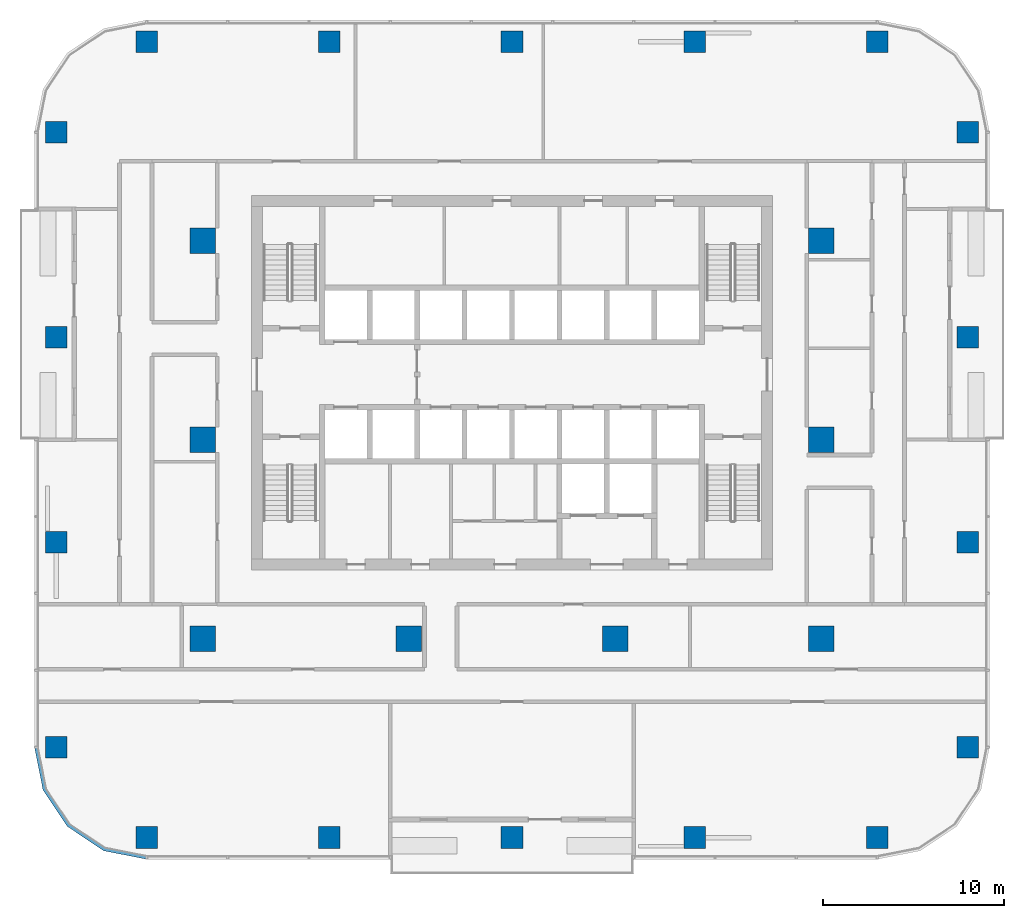
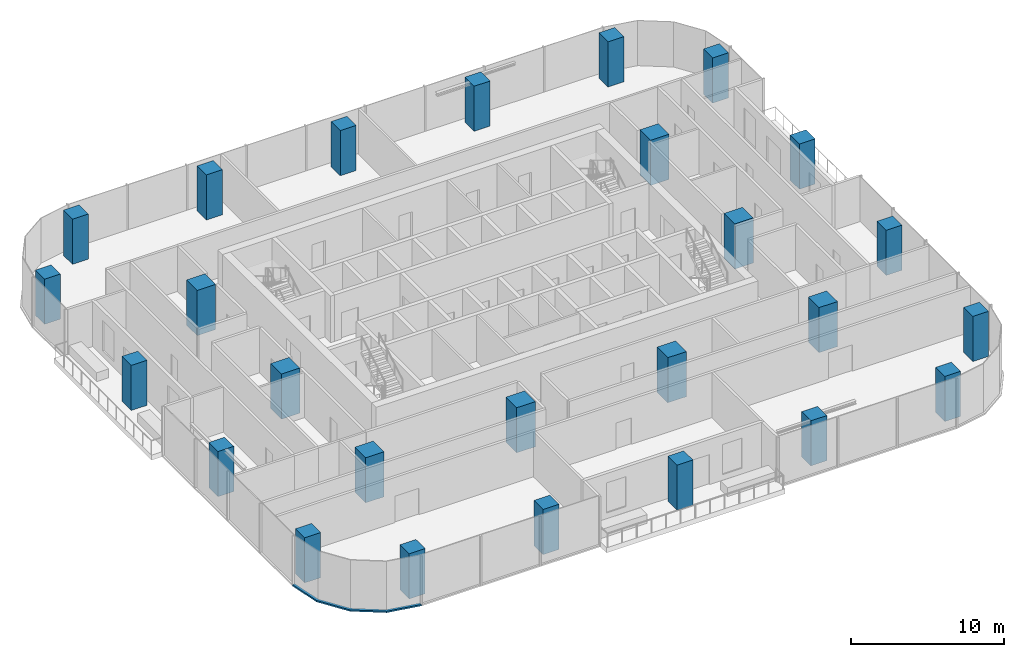
# One storey, part 1 of 15: 26 columns, 1 member, 1 element without a shape of its own.
"""IFC4 building model written with IfcOpenShell, lengths in metres."""

from ifc_helpers import new_model, si_unit, direction, frame, origin, origin_2d, place, context, subcontext, project, spatial, polyline, rectangle, outline, extrude, material, material_profile, profile_set, type_object, element, aggregate, save


model = new_model("IFC4")

# Units and contexts
model_context = context("Model", 3, precision=1e-05, world=origin(), true_north=direction((0.0, 1.0)))
body_context = subcontext(model_context, "Body", "Model", "MODEL_VIEW")
ifc_project = project(units=[si_unit("LENGTHUNIT", "METRE"), si_unit("AREAUNIT", "SQUARE_METRE"), si_unit("VOLUMEUNIT", "CUBIC_METRE"), si_unit("PLANEANGLEUNIT", "RADIAN"), si_unit("MASSUNIT", "GRAM", prefix="KILO")], contexts=[model_context])

# Site, building, storey
site_placement = place(None, origin())
site = spatial("IfcSite", under=ifc_project, at=site_placement, CompositionType="ELEMENT")
building_placement = place(site_placement, origin())
building = spatial("IfcBuilding", under=site, at=building_placement, Name="Mopane Tessera Tower", CompositionType="ELEMENT")
storey_placement = place(building_placement, frame((0.0, 0.0, 177.0)))
storey = spatial("IfcBuildingStorey", under=building, at=storey_placement, Name="L36", CompositionType="ELEMENT", Elevation=177.0)

# Columns
ifc_material_1 = material(Name="Concrete C50/60", Category="concrete")
ifc_material_profile_1 = material_profile(ifc_material_1, rectangle(XDim=1.39990234375, YDim=1.39990234375, at=origin_2d()))
ifc_profile_set_1 = profile_set([ifc_material_profile_1], Name="Concrete C50/60")
column_type_1 = type_object("IfcColumnType", Name="Interior column 1400 x 1400 C50/60", PredefinedType="COLUMN", material=ifc_profile_set_1)
for number, where, z_axis, x_axis, name in (
    (1, (-17.10009765625, -11.0, 0.0), (0.0, 0.0, 1.0), (1.0, 0.0, 0.0), "Interior column I1A L36"),
    (2, (-17.10009765625, 0.0, 0.0), (0.0, 0.0, 1.0), (1.0, 0.0, 0.0), "Interior column I1B L36"),
    (3, (-17.10009765625, 11.0, 0.0), (0.0, 0.0, 1.0), (1.0, 0.0, 0.0), "Interior column I1C L36"),
    (4, (-5.699951171875, -11.0, 0.0), (0.0, 0.0, 1.0), (1.0, 0.0, 0.0), "Interior column I2A L36"),
    (5, (5.699951171875, -11.0, 0.0), (0.0, 0.0, 1.0), (1.0, 0.0, 0.0), "Interior column I3A L36"),
    (6, (17.10009765625, -11.0, 0.0), (0.0, 0.0, 1.0), (1.0, 0.0, 0.0), "Interior column I4A L36"),
    (7, (17.10009765625, 0.0, 0.0), (0.0, 0.0, 1.0), (1.0, 0.0, 0.0), "Interior column I4B L36"),
    (8, (17.10009765625, 11.0, 0.0), (0.0, 0.0, 1.0), (1.0, 0.0, 0.0), "Interior column I4C L36"),
):
    element("IfcColumn", number, at=place(storey_placement, frame(where, z_axis=z_axis, x_axis=x_axis)), inside=storey, type_object=column_type_1, Name=name, PredefinedType="COLUMN", context=body_context, shape_type="SweptSolid", body=[
        extrude(rectangle(XDim=1.39990234375, YDim=1.39990234375, at=origin_2d()), origin(), (0.0, 0.0, 1.0), 3.60009765625),
    ])
ifc_material_2 = material(Name="Concrete C50/60", Category="concrete")
ifc_material_profile_2 = material_profile(ifc_material_2, rectangle(XDim=1.199951171875, YDim=1.199951171875, at=origin_2d()))
ifc_profile_set_2 = profile_set([ifc_material_profile_2], Name="Concrete C50/60")
column_type_2 = type_object("IfcColumnType", Name="Ring column 1200 x 1200 C50/60", PredefinedType="COLUMN", material=ifc_profile_set_2)
for number, where, z_axis, x_axis, name in (
    (9, (-20.199951171875, -22.0, 0.0), (0.0, 0.0, 1.0), (1.0, 0.0, 0.0), "Ring column S0 L36"),
    (10, (-10.10009765625, -22.0, 0.0), (0.0, 0.0, 1.0), (1.0, 0.0, 0.0), "Ring column S1 L36"),
    (11, (0.0, -22.0, 0.0), (0.0, 0.0, 1.0), (1.0, 0.0, 0.0), "Ring column S2 L36"),
    (12, (10.10009765625, -22.0, 0.0), (0.0, 0.0, 1.0), (1.0, 0.0, 0.0), "Ring column S3 L36"),
    (13, (20.199951171875, -22.0, 0.0), (0.0, 0.0, 1.0), (1.0, 0.0, 0.0), "Ring column S4 L36"),
    (14, (25.199951171875, -17.0, 0.0), (0.0, 0.0, 1.0), (1.0, 0.0, 0.0), "Ring column E0 L36"),
    (15, (25.199951171875, -5.666748046875, 0.0), (0.0, 0.0, 1.0), (1.0, 0.0, 0.0), "Ring column E1 L36"),
    (16, (25.199951171875, 5.666748046875, 0.0), (0.0, 0.0, 1.0), (1.0, 0.0, 0.0), "Ring column E2 L36"),
    (17, (25.199951171875, 17.0, 0.0), (0.0, 0.0, 1.0), (1.0, 0.0, 0.0), "Ring column E3 L36"),
    (18, (20.199951171875, 22.0, 0.0), (0.0, 0.0, 1.0), (1.0, 0.0, 0.0), "Ring column N0 L36"),
    (19, (10.10009765625, 22.0, 0.0), (0.0, 0.0, 1.0), (1.0, 0.0, 0.0), "Ring column N1 L36"),
    (20, (0.0, 22.0, 0.0), (0.0, 0.0, 1.0), (1.0, 0.0, 0.0), "Ring column N2 L36"),
    (21, (-10.10009765625, 22.0, 0.0), (0.0, 0.0, 1.0), (1.0, 0.0, 0.0), "Ring column N3 L36"),
    (22, (-20.199951171875, 22.0, 0.0), (0.0, 0.0, 1.0), (1.0, 0.0, 0.0), "Ring column N4 L36"),
    (23, (-25.199951171875, 17.0, 0.0), (0.0, 0.0, 1.0), (1.0, 0.0, 0.0), "Ring column W0 L36"),
    (24, (-25.199951171875, 5.666748046875, 0.0), (0.0, 0.0, 1.0), (1.0, 0.0, 0.0), "Ring column W1 L36"),
    (25, (-25.199951171875, -5.666748046875, 0.0), (0.0, 0.0, 1.0), (1.0, 0.0, 0.0), "Ring column W2 L36"),
    (26, (-25.199951171875, -17.0, 0.0), (0.0, 0.0, 1.0), (1.0, 0.0, 0.0), "Ring column W3 L36"),
):
    element("IfcColumn", number, at=place(storey_placement, frame(where, z_axis=z_axis, x_axis=x_axis)), inside=storey, type_object=column_type_2, Name=name, PredefinedType="COLUMN", context=body_context, shape_type="SweptSolid", body=[
        extrude(rectangle(XDim=1.199951171875, YDim=1.199951171875, at=origin_2d()), origin(), (0.0, 0.0, 1.0), 3.60009765625),
    ])

# Curtain wall, member
ifc_material_3 = material(Name="Aluminium frame", Category="aluminium")
curtain_wall_type = type_object("IfcCurtainWallType", Name="Unitised curtain wall", PredefinedType="NOTDEFINED", material=ifc_material_3)
curtain_wall_placement = place(storey_placement, origin())
curtain_wall = element("IfcCurtainWall", 27, at=curtain_wall_placement, inside=storey, type_object=curtain_wall_type, Name="e:cw:L36:CW", PredefinedType="NOTDEFINED")
ifc_material_4 = material(Name="Aluminium frame", Category="aluminium")
ifc_material_profile_3 = material_profile(ifc_material_4, rectangle(XDim=0.199951171875, YDim=0.1201171875, at=origin_2d()))
ifc_profile_set_3 = profile_set([ifc_material_profile_3], Name="Aluminium frame")
member_type = type_object("IfcMemberType", Name="Aluminium transom 200 x 120", PredefinedType="USERDEFINED", material=ifc_profile_set_3)
member_placement = place(storey_placement, frame((0.0, 0.0, -0.39990234375)))
member = element("IfcMember", 28, at=member_placement, type_object=member_type, Name="e:cw:L36:CW:tr", ObjectType="TRANSOM", PredefinedType="USERDEFINED", context=body_context, shape_type="SweptSolid", body=[
    extrude(outline(polyline([(-26.199951171875, -17.0), (-25.7431640625, -19.296142578125), (-24.442626953125, -21.24267578125), (-22.49609375, -22.543212890625), (-20.199951171875, -23.0), (-20.199951171875, -23.199951171875), (-22.57275390625, -22.72802734375), (-24.583984375, -21.384033203125), (-25.927978515625, -19.37255859375), (-26.39990234375, -17.0), (-26.199951171875, -17.0)])), origin(), (0.0, 0.0, 1.0), 0.119873046875),
])
aggregate(curtain_wall, [member])

save(model, "model.ifc")
